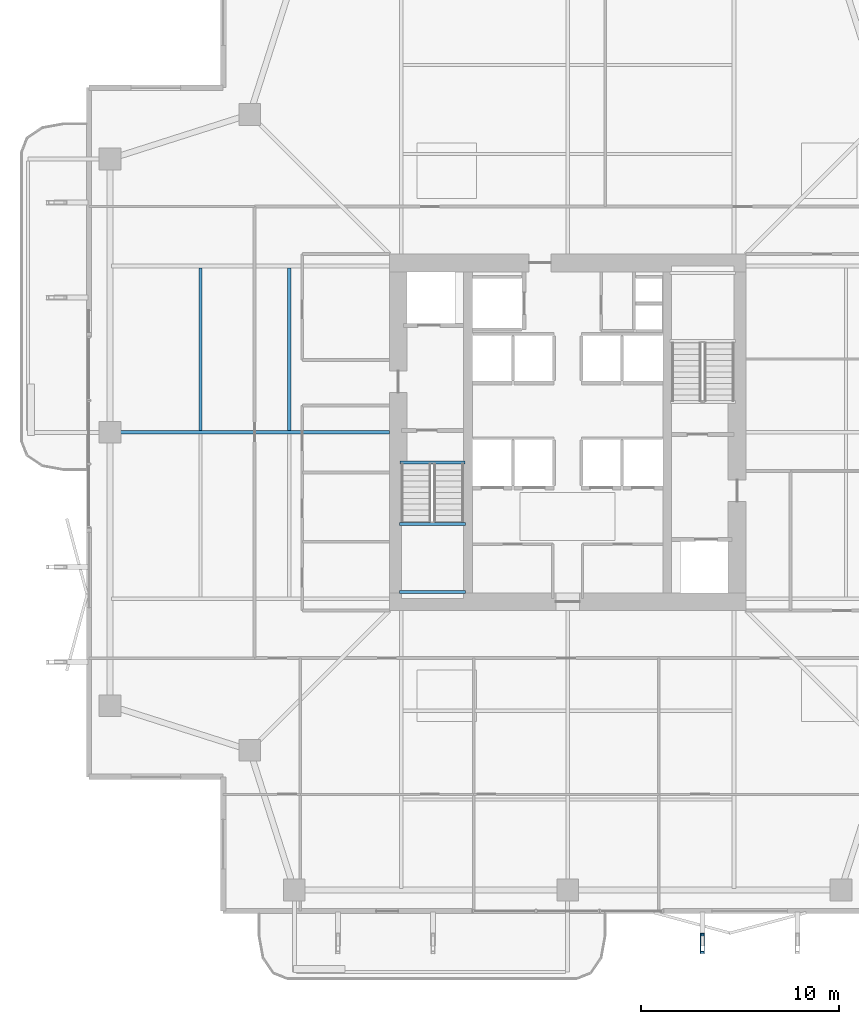
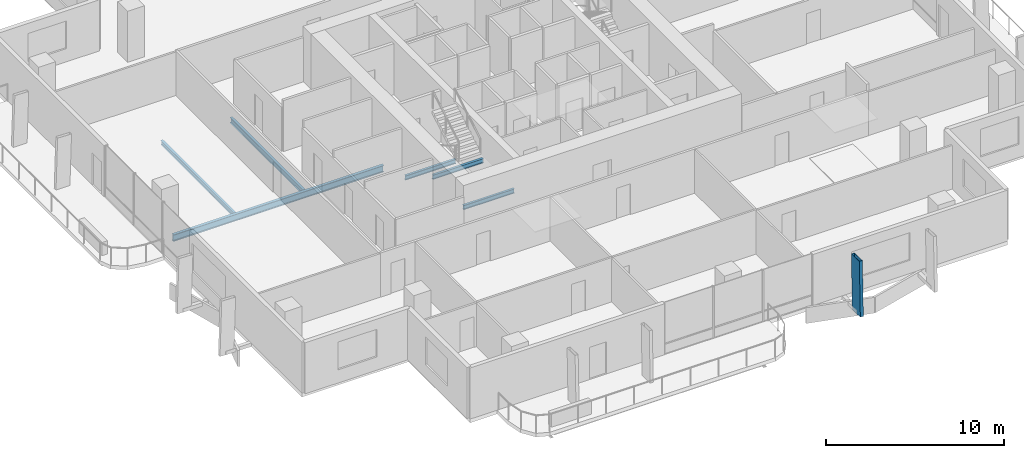
# One storey, part 7 of 25: 6 beams, 1 member.
"""IFC4 building model written with IfcOpenShell, lengths in metres."""

import ifcopenshell
import ifcopenshell.guid

model = None  # the IFC model being written
_history = None  # IfcOwnerHistory: only IFC2X3 demands one
_inside = {}  # id of a spatial element -> (the spatial element, [elements in it])
_under = {}  # id of a project, library or spatial element -> (it, [spatial elements below it])
_declared = {}  # id of a project -> (the project, [libraries it declares])
_typed = {}  # id of a type object -> (the type object, [elements of that type])
_made_of = {}  # id of a material, layer set ... -> (it, [elements and type objects made of it])


def new_model(schema):
    """Start an empty IFC model of exactly this schema.

    Asked for "IFC4X3", IfcOpenShell would pick the latest addendum, in which some entities
    have other attributes; the version numbers below select the first issue.
    IFC2X3 requires an IfcOwnerHistory on every rooted entity: one is made here for all.
    """
    global model, _history
    if schema == "IFC4X3":
        model = ifcopenshell.file(schema_version=(4, 3, 0, 0))
    else:
        model = ifcopenshell.file(schema=schema)
    _inside.clear()
    _under.clear()
    _declared.clear()
    _typed.clear()
    _made_of.clear()
    _history = None
    if model.schema == "IFC2X3":
        org = make("IfcOrganization", Name="unknown")
        user = make(
            "IfcPersonAndOrganization",
            ThePerson=make("IfcPerson", FamilyName="unknown"),
            TheOrganization=org,
        )
        app = make(
            "IfcApplication",
            ApplicationDeveloper=org,
            Version="unknown",
            ApplicationFullName="unknown",
            ApplicationIdentifier="unknown",
        )
        _history = make(
            "IfcOwnerHistory",
            OwningUser=user,
            OwningApplication=app,
            ChangeAction="ADDED",
            CreationDate=0,
        )
    return model


def make(cls, **values):
    """One entity of the class cls with the attributes given. An attribute that is None is left unset."""
    return model.create_entity(
        cls, **{name: value for name, value in values.items() if value is not None}
    )


def rooted(cls, **values):
    """An entity with a GlobalId (a new one), such as an element, a storey or a relation."""
    return make(cls, GlobalId=ifcopenshell.guid.new(), OwnerHistory=_history, **values)


def si_unit(unit_type, name, prefix=None):
    """IfcSIUnit, for example si_unit("LENGTHUNIT", "METRE", prefix="MILLI")."""
    return make("IfcSIUnit", UnitType=unit_type, Prefix=prefix, Name=name)


def assignment(units):
    """IfcUnitAssignment: the units of a project."""
    return None if units is None else make("IfcUnitAssignment", Units=units)


def point(xyz):
    """IfcCartesianPoint."""
    return None if xyz is None else make("IfcCartesianPoint", Coordinates=xyz)


def direction(xyz):
    """IfcDirection."""
    return None if xyz is None else make("IfcDirection", DirectionRatios=xyz)


def frame(location, z_axis=None, x_axis=None):
    """IfcAxis2Placement3D, a coordinate frame: its origin and axes. An axis left out is left unset."""
    return make(
        "IfcAxis2Placement3D",
        Location=point(location),
        Axis=direction(z_axis),
        RefDirection=direction(x_axis),
    )


def frame_2d(location, x_axis=None):
    """IfcAxis2Placement2D, a coordinate frame in the plane: its origin and x axis."""
    return make(
        "IfcAxis2Placement2D", Location=point(location), RefDirection=direction(x_axis)
    )


def origin():
    """The frame at (0, 0, 0) with its axes left unset."""
    return frame((0.0, 0.0, 0.0))


def origin_2d():
    """The frame at (0, 0) in the plane with its x axis left unset."""
    return frame_2d((0.0, 0.0))


def place(relative_to, where):
    """IfcLocalPlacement: puts the frame where relative to a parent placement (None: the world)."""
    return make(
        "IfcLocalPlacement", PlacementRelTo=relative_to, RelativePlacement=where
    )


def context(
    kind, dimensions, precision=None, world=None, true_north=None, identifier=None
):
    """IfcGeometricRepresentationContext, for example the 3D "Model" context."""
    return make(
        "IfcGeometricRepresentationContext",
        ContextIdentifier=identifier,
        ContextType=kind,
        CoordinateSpaceDimension=dimensions,
        Precision=precision,
        WorldCoordinateSystem=world,
        TrueNorth=true_north,
    )


def subcontext(parent, identifier, kind, view, scale=None):
    """IfcGeometricRepresentationSubContext, for example "Body" below "Model"."""
    return make(
        "IfcGeometricRepresentationSubContext",
        ContextIdentifier=identifier,
        ContextType=kind,
        ParentContext=parent,
        TargetScale=scale,
        TargetView=view,
    )


def project(units=None, contexts=None):
    """IfcProject with its units and contexts."""
    return rooted(
        "IfcProject",
        Name="project",
        RepresentationContexts=contexts,
        UnitsInContext=assignment(units),
    )


def spatial(cls, under=None, at=None, **own):
    """A site, building, storey or space (cls), placed at a placement, below another one or the project."""
    s = rooted(cls, ObjectPlacement=at, **own)
    if under is not None:
        _under.setdefault(under.id(), (under, []))[1].append(s)
    return s


def profile(cls, at=None, kind="AREA", **sizes):
    """A parametric profile (cls). Its sizes go by their IFC names, for example OverallWidth=200.0."""
    return make(cls, ProfileType=kind, Position=at, **sizes)


def hollow_rectangle(**sizes):
    """IfcRectangleHollowProfileDef."""
    return profile("IfcRectangleHollowProfileDef", **sizes)


def i_section(**sizes):
    """IfcIShapeProfileDef."""
    return profile("IfcIShapeProfileDef", **sizes)


def extrude(swept, where, along, depth):
    """IfcExtrudedAreaSolid: the profile swept, set in the frame where, extruded along a direction by depth."""
    return make(
        "IfcExtrudedAreaSolid",
        SweptArea=swept,
        Position=where,
        ExtrudedDirection=direction(along),
        Depth=depth,
    )


def shape(context_of_items, identifier, shape_type, items):
    """IfcShapeRepresentation: the items that make up one representation, for example the "Body"."""
    return make(
        "IfcShapeRepresentation",
        ContextOfItems=context_of_items,
        RepresentationIdentifier=identifier,
        RepresentationType=shape_type,
        Items=items,
    )


def material(Name=None, Category=None):
    """IfcMaterial."""
    return make("IfcMaterial", Name=Name, Category=Category)


def material_profile(
    of_material, cross_section, Name=None, Category=None, Priority=None
):
    """IfcMaterialProfile: a cross section and its material."""
    return make(
        "IfcMaterialProfile",
        Name=Name,
        Material=of_material,
        Profile=cross_section,
        Priority=Priority,
        Category=Category,
    )


def profile_set(profiles, Name=None, composite=None):
    """IfcMaterialProfileSet."""
    return make(
        "IfcMaterialProfileSet",
        Name=Name,
        MaterialProfiles=profiles,
        CompositeProfile=composite,
    )


def made_of(thing, what):
    """Note that an element or type object is made of a material, layer set ...; save() writes the relation."""
    if what is not None:
        _made_of.setdefault(what.id(), (what, []))[1].append(thing)
    return thing


def type_object(cls, material=None, **own):
    """A type object (cls), such as IfcWallType, which elements share."""
    return made_of(rooted(cls, **own), material)


def element(
    cls,
    number,
    at=None,
    inside=None,
    cuts=None,
    type_object=None,
    material=None,
    context=None,
    identifier="Body",
    shape_type=None,
    held_by="IfcProductDefinitionShape",
    body=None,
    shapes=None,
    **own,
):
    """One element of the class cls, such as IfcWall. Its Tag is "e" and its number.

    at: its placement. inside: the storey or other place that contains it. cuts: it is an
    opening in that element (IfcRelVoidsElement). A single representation is given by context,
    identifier, shape_type and body (its items); several are given by shapes. held_by: the class
    of the entity that holds the representations. save() writes the other relations.
    """
    e = rooted(cls, Tag="e%d" % number, ObjectPlacement=at, **own)
    if body is not None:
        shapes = [shape(context, identifier, shape_type, body)]
    if shapes is not None:
        e.Representation = make(held_by, Representations=shapes)
    if inside is not None:
        _inside.setdefault(inside.id(), (inside, []))[1].append(e)
    if cuts is not None:
        rooted(
            "IfcRelVoidsElement", RelatingBuildingElement=cuts, RelatedOpeningElement=e
        )
    if type_object is not None:
        _typed.setdefault(type_object.id(), (type_object, []))[1].append(e)
    return made_of(e, material)


def aggregate(whole, parts):
    """IfcRelAggregates: a whole, such as a stair, and the parts it consists of."""
    return rooted("IfcRelAggregates", RelatingObject=whole, RelatedObjects=parts)


def save(model, path):
    """Write the relations noted so far, then the file.

    IfcRelAggregates (storeys below a building ...), IfcRelContainedInSpatialStructure (elements
    in a storey), IfcRelDefinesByType, IfcRelAssociatesMaterial and IfcRelDeclares: one each for
    every whole, place, type object, material and project.
    """
    for whole, parts in _under.values():
        aggregate(whole, parts)
    for where, things in _inside.values():
        rooted(
            "IfcRelContainedInSpatialStructure",
            RelatedElements=things,
            RelatingStructure=where,
        )
    for kind, things in _typed.values():
        rooted("IfcRelDefinesByType", RelatedObjects=things, RelatingType=kind)
    for what, things in _made_of.values():
        rooted("IfcRelAssociatesMaterial", RelatedObjects=things, RelatingMaterial=what)
    for by, libraries in _declared.values():
        rooted("IfcRelDeclares", RelatingContext=by, RelatedDefinitions=libraries)
    model.write(path)


model = new_model("IFC4")

# Units and contexts
model_context = context("Model", 3, precision=1e-05, world=origin(), true_north=direction((0.0, 1.0)))
body_context = subcontext(model_context, "Body", "Model", "MODEL_VIEW")
ifc_project = project(units=[si_unit("LENGTHUNIT", "METRE"), si_unit("AREAUNIT", "SQUARE_METRE"), si_unit("VOLUMEUNIT", "CUBIC_METRE"), si_unit("PLANEANGLEUNIT", "RADIAN"), si_unit("MASSUNIT", "GRAM", prefix="KILO")], contexts=[model_context])

# Site, building, storey
site_placement = place(None, origin())
site = spatial("IfcSite", under=ifc_project, at=site_placement, CompositionType="ELEMENT")
building_placement = place(site_placement, origin())
building = spatial("IfcBuilding", under=site, at=building_placement, Name="Belovzor Exchange Tower", CompositionType="ELEMENT")
storey_placement = place(building_placement, frame((0.0, 0.0, 149.550048828125)))
storey = spatial("IfcBuildingStorey", under=building, at=storey_placement, Name="L36", CompositionType="ELEMENT", Elevation=149.550048828125)

# Beams
ifc_material_1 = material(Name="Steel S355", Category="steel")
ifc_material_profile_1 = material_profile(ifc_material_1, i_section(OverallWidth=0.169921875, OverallDepth=0.360107421875, WebThickness=0.008056640625, FlangeThickness=0.0126953125, at=origin_2d()))
ifc_profile_set_1 = profile_set([ifc_material_profile_1], Name="Steel S355")
beam_type_1 = type_object("IfcBeamType", Name="Secondary Infill Floor Joist IPE 360", PredefinedType="BEAM", material=ifc_profile_set_1)
beam_1_placement = place(storey_placement, frame((14.7509765625, 28.89501953125, -0.43505859375), z_axis=(0.0, 1.0, 0.0), x_axis=(-1.0, 0.0, 0.0)))
element("IfcBeam", 1, at=beam_1_placement, inside=storey, type_object=beam_type_1, Name="FJ-360 Secondary Infill Floor Joist IPE 360", PredefinedType="BEAM", context=body_context, shape_type="SweptSolid", body=[
    extrude(i_section(OverallWidth=0.169921875, OverallDepth=0.360107421875, WebThickness=0.008056640625, FlangeThickness=0.0126953125, at=origin_2d()), origin(), (0.0, 0.0, 1.0), 8.2099609375),
])
ifc_material_2 = material(Name="Steel S355", Category="steel")
ifc_material_profile_2 = material_profile(ifc_material_2, i_section(OverallWidth=0.14990234375, OverallDepth=0.300048828125, WebThickness=0.007080078125, FlangeThickness=0.0107421875, at=origin_2d()))
ifc_profile_set_2 = profile_set([ifc_material_profile_2], Name="Steel S355")
beam_type_2 = type_object("IfcBeamType", Name="Secondary Trim Floor Joist IPE 300", PredefinedType="BEAM", material=ifc_profile_set_2)
for number, where, z_axis, x_axis, name in (
    (2, (20.320068359375, 24.179931640625, 1.52490234375), (1.0, 0.0, 0.0), (0.0, 1.0, 0.0), "FJ-300 Secondary Trim Floor Joist IPE 300"),
    (3, (20.320068359375, 20.75, 1.52490234375), (1.0, 0.0, 0.0), (0.0, 1.0, 0.0), "FJ-300 Secondary Trim Floor Joist IPE 300"),
):
    element("IfcBeam", number, at=place(storey_placement, frame(where, z_axis=z_axis, x_axis=x_axis)), inside=storey, type_object=beam_type_2, Name=name, PredefinedType="BEAM", context=body_context, shape_type="SweptSolid", body=[
        extrude(i_section(OverallWidth=0.14990234375, OverallDepth=0.300048828125, WebThickness=0.007080078125, FlangeThickness=0.0107421875, at=origin_2d()), origin(), (0.0, 0.0, 1.0), 3.309814453125),
    ])
beam_2_placement = place(storey_placement, frame((20.340087890625, 27.280029296875, -0.405029296875), z_axis=(1.0, 0.0, 0.0), x_axis=(0.0, 1.0, 0.0)))
element("IfcBeam", 4, at=beam_2_placement, inside=storey, type_object=beam_type_2, Name="FJ-300 Secondary Trim Floor Joist IPE 300", PredefinedType="BEAM", context=body_context, shape_type="SweptSolid", body=[
    extrude(i_section(OverallWidth=0.14990234375, OverallDepth=0.300048828125, WebThickness=0.007080078125, FlangeThickness=0.0107421875, at=origin_2d()), origin(), (0.0, 0.0, 1.0), 3.27001953125),
])
beam_3_placement = place(storey_placement, frame((10.262939453125, 28.89501953125, -0.405029296875), z_axis=(0.0, 1.0, 0.0), x_axis=(-1.0, 0.0, 0.0)))
element("IfcBeam", 5, at=beam_3_placement, inside=storey, type_object=beam_type_2, Name="FJ-300 Secondary Trim Floor Joist IPE 300", PredefinedType="BEAM", context=body_context, shape_type="SweptSolid", body=[
    extrude(i_section(OverallWidth=0.14990234375, OverallDepth=0.300048828125, WebThickness=0.007080078125, FlangeThickness=0.0107421875, at=origin_2d()), origin(), (0.0, 0.0, 1.0), 8.2099609375),
])

# Member
ifc_material_3 = material(Name="Extruded Architectural Terracotta on Steel S355 Carrier", Category="masonry")
ifc_material_profile_3 = material_profile(ifc_material_3, hollow_rectangle(XDim=0.199951171875, YDim=0.89990234375, WallThickness=0.011962890625, at=origin_2d()))
ifc_profile_set_3 = profile_set([ifc_material_profile_3], Name="Extruded Architectural Terracotta on Steel S355 Carrier")
member_type = type_object("IfcMemberType", Name="Sweeping Terracotta Baguette Fin Assembly 1250", PredefinedType="USERDEFINED", material=ifc_profile_set_3)
member_placement = place(storey_placement, frame((35.60009765625, 2.93603515625, -0.255126953125), z_axis=(0.0, 0.030129544208, 0.999546002226), x_axis=(-1.0, 0.0, 0.0)))
element("IfcMember", 6, at=member_placement, inside=storey, type_object=member_type, Name="FIN-TC125 Terracotta Facade Fin L36 S3", ObjectType="FIN", PredefinedType="USERDEFINED", context=body_context, shape_type="SweptSolid", body=[
    extrude(hollow_rectangle(XDim=0.199951171875, YDim=0.89990234375, WallThickness=0.011962890625, at=origin_2d()), origin(), (0.0, 0.0, 1.0), 3.751708984375),
])

# Beam
ifc_material_4 = material(Name="Steel S355", Category="steel")
ifc_material_profile_4 = material_profile(ifc_material_4, i_section(OverallWidth=0.18994140625, OverallDepth=0.449951171875, WebThickness=0.009521484375, FlangeThickness=0.0146484375, at=origin_2d()))
ifc_profile_set_4 = profile_set([ifc_material_profile_4], Name="Steel S355")
beam_type_3 = type_object("IfcBeamType", Name="Zone 2-4 Radial Composite Floor Beam IPE 450", PredefinedType="BEAM", material=ifc_profile_set_4)
beam_4_placement = place(storey_placement, frame((19.800048828125, 28.800048828125, -0.47998046875), z_axis=(-1.0, 0.0, 0.0), x_axis=(0.0, -1.0, 0.0)))
element("IfcBeam", 7, at=beam_4_placement, inside=storey, type_object=beam_type_3, Name="FB-450 Zone 2-4 Radial Composite Floor Beam IPE 450", PredefinedType="BEAM", context=body_context, shape_type="SweptSolid", body=[
    extrude(i_section(OverallWidth=0.18994140625, OverallDepth=0.449951171875, WebThickness=0.009521484375, FlangeThickness=0.0146484375, at=origin_2d()), origin(), (0.0, 0.0, 1.0), 13.615966796875),
])

save(model, "model.ifc")
